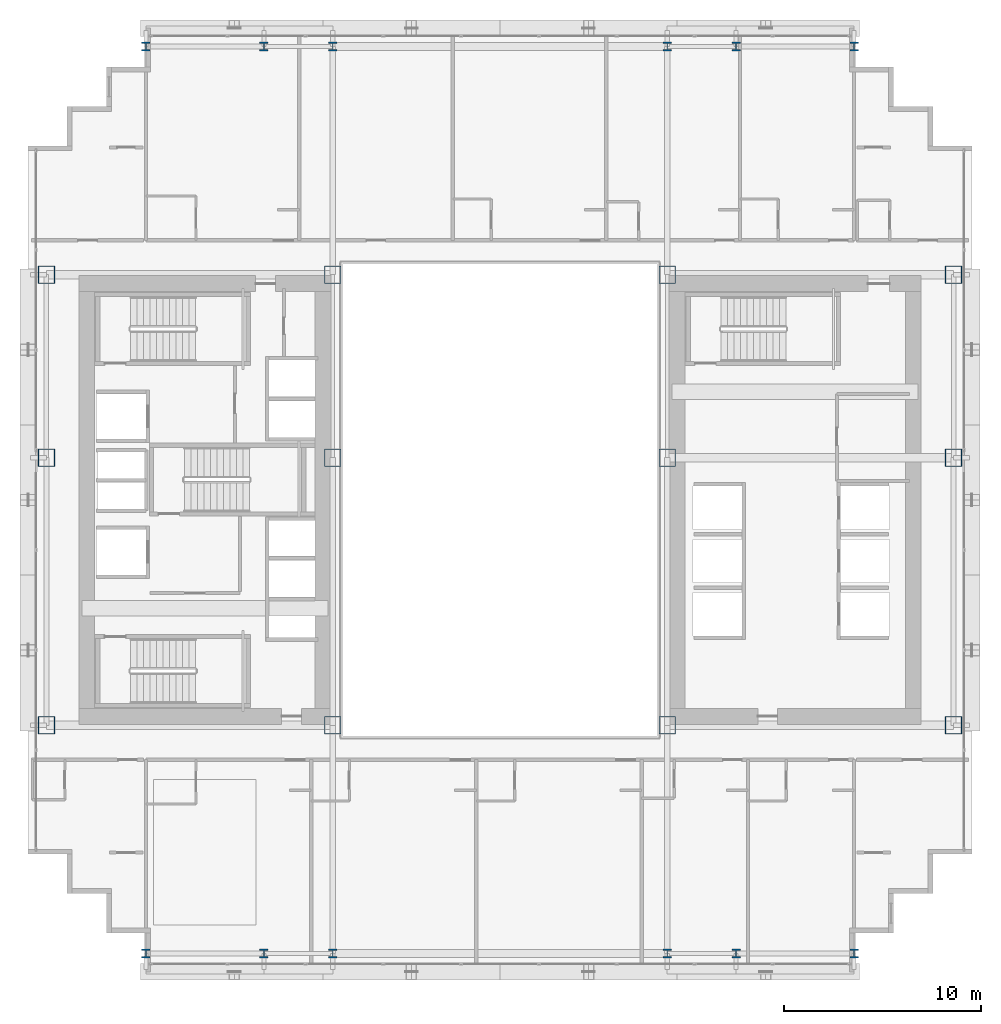
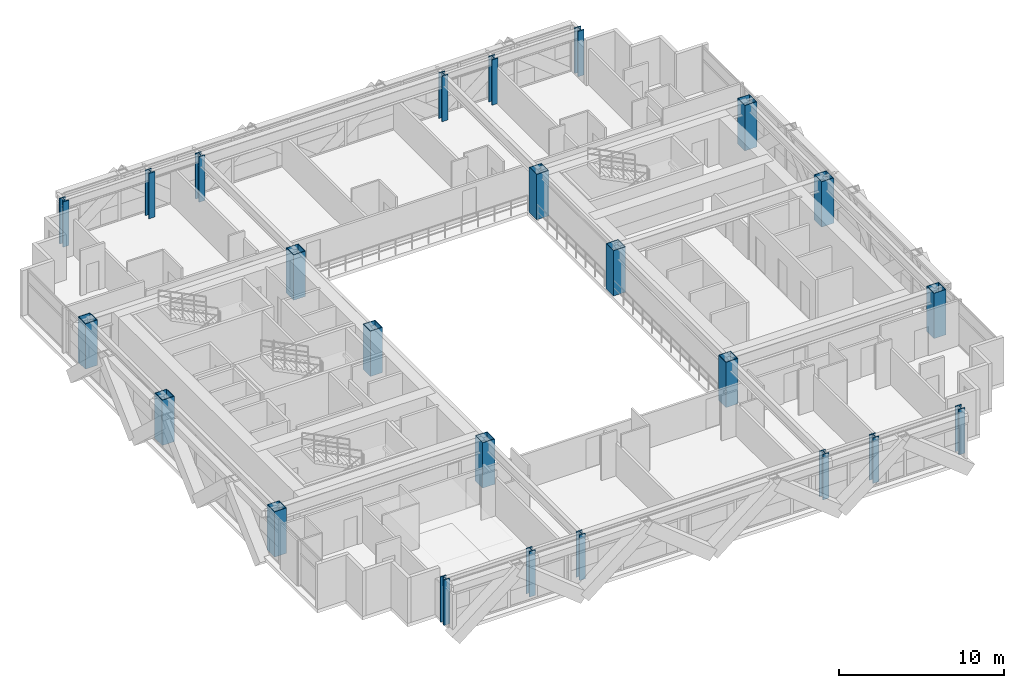
# One storey, part 1 of 35: 24 columns.
"""IFC4 building model written with IfcOpenShell, lengths in metres."""

from ifc_helpers import new_model, si_unit, direction, frame, origin, origin_2d, place, context, subcontext, project, spatial, hollow_rectangle, i_section, extrude, source, transform, mapped, material, material_profile, profile_set, type_object, element, save


model = new_model("IFC4")

# Units and contexts
model_context = context("Model", 3, precision=1e-05, world=origin(), true_north=direction((0.0, 1.0)))
body_context = subcontext(model_context, "Body", "Model", "MODEL_VIEW")
ifc_project = project(units=[si_unit("LENGTHUNIT", "METRE"), si_unit("AREAUNIT", "SQUARE_METRE"), si_unit("VOLUMEUNIT", "CUBIC_METRE"), si_unit("PLANEANGLEUNIT", "RADIAN"), si_unit("MASSUNIT", "GRAM", prefix="KILO")], contexts=[model_context])

# Site, building, storey
site_placement = place(None, origin())
site = spatial("IfcSite", under=ifc_project, at=site_placement, CompositionType="ELEMENT")
building_placement = place(site_placement, origin())
building = spatial("IfcBuilding", under=site, at=building_placement, Name="Ocotamira Hotel", CompositionType="ELEMENT")
storey_placement = place(building_placement, frame((0.0, 0.0, 56.39990234375)))
storey = spatial("IfcBuildingStorey", under=building, at=storey_placement, Name="L13", CompositionType="ELEMENT", Elevation=56.39990234375)

# Columns
ifc_material = material(Name="Steel ASTM A913 Grade 65", Category="steel")
ifc_material_profile_1 = material_profile(ifc_material, hollow_rectangle(XDim=0.85009765625, YDim=0.89990234375, WallThickness=0.0400390625, at=origin_2d()), Name="BOX900X850X40")
ifc_profile_set_1 = profile_set([ifc_material_profile_1], Name="Steel ASTM A913 Grade 65")
column_type_1 = type_object("IfcColumnType", Name="COL-BOX900", PredefinedType="COLUMN", material=ifc_profile_set_1)
shared_shape_1 = source(origin(), body_context, "Body", "SweptSolid", [
    extrude(hollow_rectangle(XDim=0.85009765625, YDim=0.89990234375, WallThickness=0.0400390625, at=origin_2d()), origin(), (0.0, 0.0, 1.0), 3.35009765625),
])
for number, where, z_axis, x_axis, name in (
    (1, (8.949951171875, 14.550048828125, 0.0), (0.0, 0.0, 1.0), (1.0, 0.0, 0.0), "L13 Column TW8_14"),
    (2, (23.5, 14.550048828125, 0.0), (0.0, 0.0, 1.0), (1.0, 0.0, 0.0), "L13 Column TW23_14"),
    (3, (40.5, 14.550048828125, 0.0), (0.0, 0.0, 1.0), (1.0, 0.0, 0.0), "L13 Column TE40_14"),
    (4, (55.050048828125, 14.550048828125, 0.0), (0.0, 0.0, 1.0), (1.0, 0.0, 0.0), "L13 Column TE55_14"),
    (5, (8.949951171875, 28.14990234375, 0.0), (0.0, 0.0, 1.0), (1.0, 0.0, 0.0), "L13 Column TW8_28"),
    (6, (23.5, 28.14990234375, 0.0), (0.0, 0.0, 1.0), (1.0, 0.0, 0.0), "L13 Column TW23_28"),
    (7, (40.5, 28.14990234375, 0.0), (0.0, 0.0, 1.0), (1.0, 0.0, 0.0), "L13 Column TE40_28"),
    (8, (55.050048828125, 28.14990234375, 0.0), (0.0, 0.0, 1.0), (1.0, 0.0, 0.0), "L13 Column TE55_28"),
    (9, (8.949951171875, 37.449951171875, 0.0), (0.0, 0.0, 1.0), (1.0, 0.0, 0.0), "L13 Column TW8_37"),
    (10, (23.5, 37.449951171875, 0.0), (0.0, 0.0, 1.0), (1.0, 0.0, 0.0), "L13 Column TW23_37"),
    (11, (40.5, 37.449951171875, 0.0), (0.0, 0.0, 1.0), (1.0, 0.0, 0.0), "L13 Column TE40_37"),
    (12, (55.050048828125, 37.449951171875, 0.0), (0.0, 0.0, 1.0), (1.0, 0.0, 0.0), "L13 Column TE55_37"),
):
    element("IfcColumn", number, at=place(storey_placement, frame(where, z_axis=z_axis, x_axis=x_axis)), inside=storey, type_object=column_type_1, Name=name, PredefinedType="COLUMN", context=body_context, shape_type="MappedRepresentation", body=[
        mapped(shared_shape_1, transform((0.0, 0.0, 0.0), scale=1.0)),
    ])
ifc_material_profile_2 = material_profile(ifc_material, i_section(OverallWidth=0.422119140625, OverallDepth=0.465087890625, WebThickness=0.044921875, FlangeThickness=0.072509765625, FilletRadius=0.02490234375, at=origin_2d()), Name="W14X398")
ifc_profile_set_2 = profile_set([ifc_material_profile_2], Name="Steel ASTM A913 Grade 65")
column_type_2 = type_object("IfcColumnType", Name="COL-W14X398", PredefinedType="COLUMN", material=ifc_profile_set_2)
shared_shape_2 = source(origin(), body_context, "Body", "SweptSolid", [
    extrude(i_section(OverallWidth=0.422119140625, OverallDepth=0.465087890625, WebThickness=0.044921875, FlangeThickness=0.072509765625, FilletRadius=0.02490234375, at=origin_2d()), origin(), (0.0, 0.0, 1.0), 3.35009765625),
])
for number, where, z_axis, x_axis, name in (
    (13, (14.0, 2.949951171875, 0.0), (0.0, 0.0, 1.0), (1.0, 0.0, 0.0), "L13 Column NSP1_14"),
    (14, (20.0, 2.949951171875, 0.0), (0.0, 0.0, 1.0), (1.0, 0.0, 0.0), "L13 Column NSP1_20"),
    (15, (23.5, 2.949951171875, 0.0), (0.0, 0.0, 1.0), (1.0, 0.0, 0.0), "L13 Column NSP1_23"),
    (16, (40.5, 2.949951171875, 0.0), (0.0, 0.0, 1.0), (1.0, 0.0, 0.0), "L13 Column NSP1_40"),
    (17, (44.0, 2.949951171875, 0.0), (0.0, 0.0, 1.0), (1.0, 0.0, 0.0), "L13 Column NSP1_44"),
    (18, (50.0, 2.949951171875, 0.0), (0.0, 0.0, 1.0), (1.0, 0.0, 0.0), "L13 Column NSP1_50"),
    (19, (14.0, 49.050048828125, 0.0), (0.0, 0.0, 1.0), (1.0, 0.0, 0.0), "L13 Column NSP2_14"),
    (20, (20.0, 49.050048828125, 0.0), (0.0, 0.0, 1.0), (1.0, 0.0, 0.0), "L13 Column NSP2_20"),
    (21, (23.5, 49.050048828125, 0.0), (0.0, 0.0, 1.0), (1.0, 0.0, 0.0), "L13 Column NSP2_23"),
    (22, (40.5, 49.050048828125, 0.0), (0.0, 0.0, 1.0), (1.0, 0.0, 0.0), "L13 Column NSP2_40"),
    (23, (44.0, 49.050048828125, 0.0), (0.0, 0.0, 1.0), (1.0, 0.0, 0.0), "L13 Column NSP2_44"),
    (24, (50.0, 49.050048828125, 0.0), (0.0, 0.0, 1.0), (1.0, 0.0, 0.0), "L13 Column NSP2_50"),
):
    element("IfcColumn", number, at=place(storey_placement, frame(where, z_axis=z_axis, x_axis=x_axis)), inside=storey, type_object=column_type_2, Name=name, PredefinedType="COLUMN", context=body_context, shape_type="MappedRepresentation", body=[
        mapped(shared_shape_2, transform((0.0, 0.0, 0.0), scale=1.0)),
    ])

save(model, "model.ifc")
